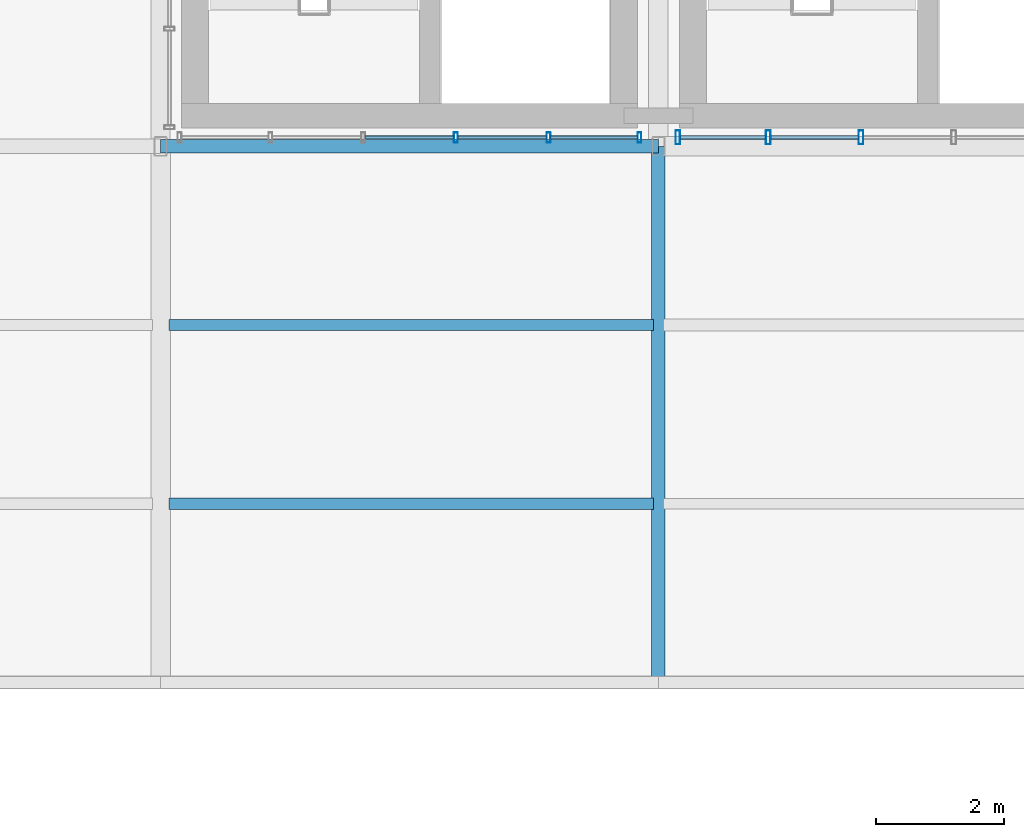
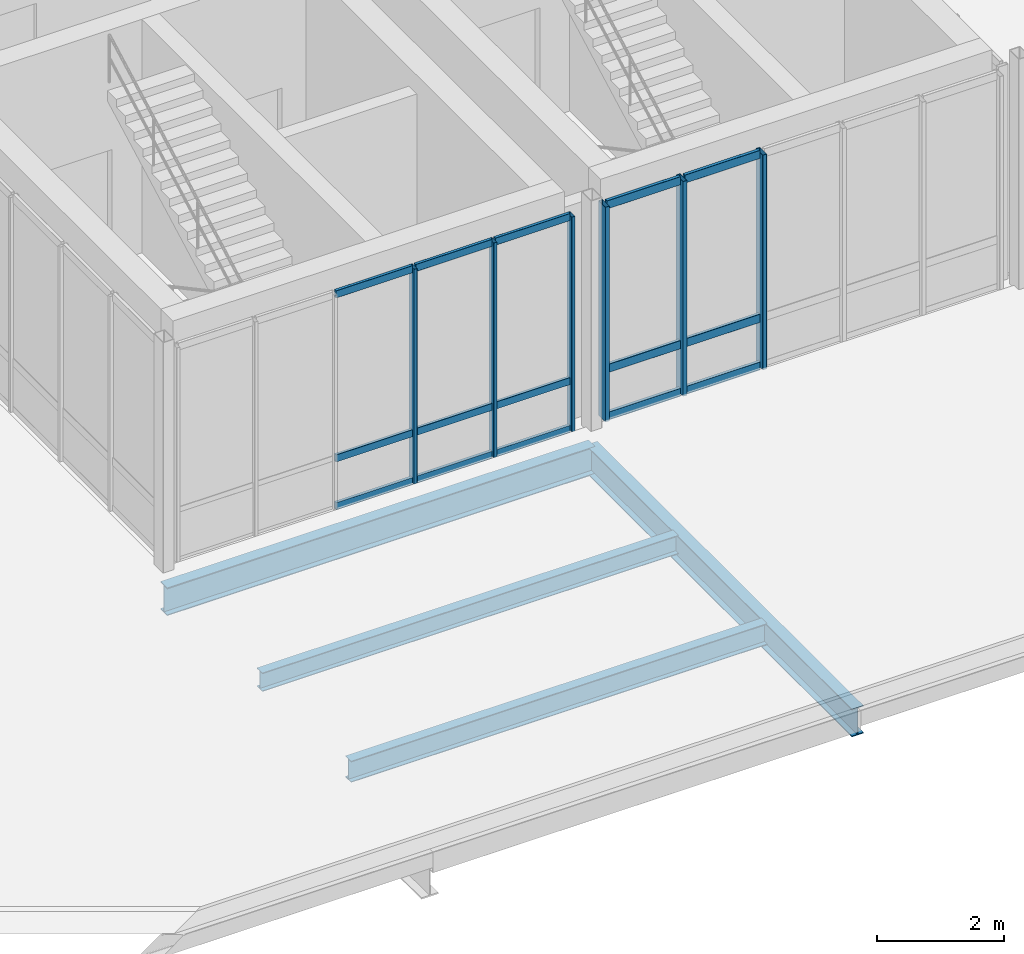
# One storey, part 37 of 66: 21 members, 4 beams, 2 elements without a shape of their own.
"""IFC4 building model written with IfcOpenShell, lengths in metres."""

import ifcopenshell
import ifcopenshell.guid

model = None  # the IFC model being written
_history = None  # IfcOwnerHistory: only IFC2X3 demands one
_inside = {}  # id of a spatial element -> (the spatial element, [elements in it])
_under = {}  # id of a project, library or spatial element -> (it, [spatial elements below it])
_declared = {}  # id of a project -> (the project, [libraries it declares])
_typed = {}  # id of a type object -> (the type object, [elements of that type])
_made_of = {}  # id of a material, layer set ... -> (it, [elements and type objects made of it])


def new_model(schema):
    """Start an empty IFC model of exactly this schema.

    Asked for "IFC4X3", IfcOpenShell would pick the latest addendum, in which some entities
    have other attributes; the version numbers below select the first issue.
    IFC2X3 requires an IfcOwnerHistory on every rooted entity: one is made here for all.
    """
    global model, _history
    if schema == "IFC4X3":
        model = ifcopenshell.file(schema_version=(4, 3, 0, 0))
    else:
        model = ifcopenshell.file(schema=schema)
    _inside.clear()
    _under.clear()
    _declared.clear()
    _typed.clear()
    _made_of.clear()
    _history = None
    if model.schema == "IFC2X3":
        org = make("IfcOrganization", Name="unknown")
        user = make(
            "IfcPersonAndOrganization",
            ThePerson=make("IfcPerson", FamilyName="unknown"),
            TheOrganization=org,
        )
        app = make(
            "IfcApplication",
            ApplicationDeveloper=org,
            Version="unknown",
            ApplicationFullName="unknown",
            ApplicationIdentifier="unknown",
        )
        _history = make(
            "IfcOwnerHistory",
            OwningUser=user,
            OwningApplication=app,
            ChangeAction="ADDED",
            CreationDate=0,
        )
    return model


def make(cls, **values):
    """One entity of the class cls with the attributes given. An attribute that is None is left unset."""
    return model.create_entity(
        cls, **{name: value for name, value in values.items() if value is not None}
    )


def rooted(cls, **values):
    """An entity with a GlobalId (a new one), such as an element, a storey or a relation."""
    return make(cls, GlobalId=ifcopenshell.guid.new(), OwnerHistory=_history, **values)


def si_unit(unit_type, name, prefix=None):
    """IfcSIUnit, for example si_unit("LENGTHUNIT", "METRE", prefix="MILLI")."""
    return make("IfcSIUnit", UnitType=unit_type, Prefix=prefix, Name=name)


def assignment(units):
    """IfcUnitAssignment: the units of a project."""
    return None if units is None else make("IfcUnitAssignment", Units=units)


def point(xyz):
    """IfcCartesianPoint."""
    return None if xyz is None else make("IfcCartesianPoint", Coordinates=xyz)


def direction(xyz):
    """IfcDirection."""
    return None if xyz is None else make("IfcDirection", DirectionRatios=xyz)


def frame(location, z_axis=None, x_axis=None):
    """IfcAxis2Placement3D, a coordinate frame: its origin and axes. An axis left out is left unset."""
    return make(
        "IfcAxis2Placement3D",
        Location=point(location),
        Axis=direction(z_axis),
        RefDirection=direction(x_axis),
    )


def frame_2d(location, x_axis=None):
    """IfcAxis2Placement2D, a coordinate frame in the plane: its origin and x axis."""
    return make(
        "IfcAxis2Placement2D", Location=point(location), RefDirection=direction(x_axis)
    )


def origin_with_axes():
    """The frame at (0, 0, 0) with the z axis (0, 0, 1) and the x axis (1, 0, 0) written out."""
    return frame((0.0, 0.0, 0.0), z_axis=(0.0, 0.0, 1.0), x_axis=(1.0, 0.0, 0.0))


def origin_2d_with_axis():
    """The frame at (0, 0) in the plane with the x axis (1, 0) written out."""
    return frame_2d((0.0, 0.0), x_axis=(1.0, 0.0))


def place(relative_to, where):
    """IfcLocalPlacement: puts the frame where relative to a parent placement (None: the world)."""
    return make(
        "IfcLocalPlacement", PlacementRelTo=relative_to, RelativePlacement=where
    )


def context(
    kind, dimensions, precision=None, world=None, true_north=None, identifier=None
):
    """IfcGeometricRepresentationContext, for example the 3D "Model" context."""
    return make(
        "IfcGeometricRepresentationContext",
        ContextIdentifier=identifier,
        ContextType=kind,
        CoordinateSpaceDimension=dimensions,
        Precision=precision,
        WorldCoordinateSystem=world,
        TrueNorth=true_north,
    )


def subcontext(parent, identifier, kind, view, scale=None):
    """IfcGeometricRepresentationSubContext, for example "Body" below "Model"."""
    return make(
        "IfcGeometricRepresentationSubContext",
        ContextIdentifier=identifier,
        ContextType=kind,
        ParentContext=parent,
        TargetScale=scale,
        TargetView=view,
    )


def project(units=None, contexts=None):
    """IfcProject with its units and contexts."""
    return rooted(
        "IfcProject",
        Name="project",
        RepresentationContexts=contexts,
        UnitsInContext=assignment(units),
    )


def spatial(cls, under=None, at=None, **own):
    """A site, building, storey or space (cls), placed at a placement, below another one or the project."""
    s = rooted(cls, ObjectPlacement=at, **own)
    if under is not None:
        _under.setdefault(under.id(), (under, []))[1].append(s)
    return s


def profile(cls, at=None, kind="AREA", **sizes):
    """A parametric profile (cls). Its sizes go by their IFC names, for example OverallWidth=200.0."""
    return make(cls, ProfileType=kind, Position=at, **sizes)


def hollow_rectangle(**sizes):
    """IfcRectangleHollowProfileDef."""
    return profile("IfcRectangleHollowProfileDef", **sizes)


def i_section(**sizes):
    """IfcIShapeProfileDef."""
    return profile("IfcIShapeProfileDef", **sizes)


def extrude(swept, where, along, depth):
    """IfcExtrudedAreaSolid: the profile swept, set in the frame where, extruded along a direction by depth."""
    return make(
        "IfcExtrudedAreaSolid",
        SweptArea=swept,
        Position=where,
        ExtrudedDirection=direction(along),
        Depth=depth,
    )


def shape(context_of_items, identifier, shape_type, items):
    """IfcShapeRepresentation: the items that make up one representation, for example the "Body"."""
    return make(
        "IfcShapeRepresentation",
        ContextOfItems=context_of_items,
        RepresentationIdentifier=identifier,
        RepresentationType=shape_type,
        Items=items,
    )


def material(Name=None, Category=None):
    """IfcMaterial."""
    return make("IfcMaterial", Name=Name, Category=Category)


def material_profile(
    of_material, cross_section, Name=None, Category=None, Priority=None
):
    """IfcMaterialProfile: a cross section and its material."""
    return make(
        "IfcMaterialProfile",
        Name=Name,
        Material=of_material,
        Profile=cross_section,
        Priority=Priority,
        Category=Category,
    )


def profile_set(profiles, Name=None, composite=None):
    """IfcMaterialProfileSet."""
    return make(
        "IfcMaterialProfileSet",
        Name=Name,
        MaterialProfiles=profiles,
        CompositeProfile=composite,
    )


def made_of(thing, what):
    """Note that an element or type object is made of a material, layer set ...; save() writes the relation."""
    if what is not None:
        _made_of.setdefault(what.id(), (what, []))[1].append(thing)
    return thing


def type_object(cls, material=None, **own):
    """A type object (cls), such as IfcWallType, which elements share."""
    return made_of(rooted(cls, **own), material)


def element(
    cls,
    number,
    at=None,
    inside=None,
    cuts=None,
    type_object=None,
    material=None,
    context=None,
    identifier="Body",
    shape_type=None,
    held_by="IfcProductDefinitionShape",
    body=None,
    shapes=None,
    **own,
):
    """One element of the class cls, such as IfcWall. Its Tag is "e" and its number.

    at: its placement. inside: the storey or other place that contains it. cuts: it is an
    opening in that element (IfcRelVoidsElement). A single representation is given by context,
    identifier, shape_type and body (its items); several are given by shapes. held_by: the class
    of the entity that holds the representations. save() writes the other relations.
    """
    e = rooted(cls, Tag="e%d" % number, ObjectPlacement=at, **own)
    if body is not None:
        shapes = [shape(context, identifier, shape_type, body)]
    if shapes is not None:
        e.Representation = make(held_by, Representations=shapes)
    if inside is not None:
        _inside.setdefault(inside.id(), (inside, []))[1].append(e)
    if cuts is not None:
        rooted(
            "IfcRelVoidsElement", RelatingBuildingElement=cuts, RelatedOpeningElement=e
        )
    if type_object is not None:
        _typed.setdefault(type_object.id(), (type_object, []))[1].append(e)
    return made_of(e, material)


def aggregate(whole, parts):
    """IfcRelAggregates: a whole, such as a stair, and the parts it consists of."""
    return rooted("IfcRelAggregates", RelatingObject=whole, RelatedObjects=parts)


def save(model, path):
    """Write the relations noted so far, then the file.

    IfcRelAggregates (storeys below a building ...), IfcRelContainedInSpatialStructure (elements
    in a storey), IfcRelDefinesByType, IfcRelAssociatesMaterial and IfcRelDeclares: one each for
    every whole, place, type object, material and project.
    """
    for whole, parts in _under.values():
        aggregate(whole, parts)
    for where, things in _inside.values():
        rooted(
            "IfcRelContainedInSpatialStructure",
            RelatedElements=things,
            RelatingStructure=where,
        )
    for kind, things in _typed.values():
        rooted("IfcRelDefinesByType", RelatedObjects=things, RelatingType=kind)
    for what, things in _made_of.values():
        rooted("IfcRelAssociatesMaterial", RelatedObjects=things, RelatingMaterial=what)
    for by, libraries in _declared.values():
        rooted("IfcRelDeclares", RelatingContext=by, RelatedDefinitions=libraries)
    model.write(path)


model = new_model("IFC4")

# Units and contexts
model_context = context("Model", 3, precision=1e-05, world=origin_with_axes(), true_north=direction((0.0, 1.0)))
body_context = subcontext(model_context, "Body", "Model", "MODEL_VIEW")
ifc_project = project(units=[si_unit("LENGTHUNIT", "METRE"), si_unit("AREAUNIT", "SQUARE_METRE"), si_unit("VOLUMEUNIT", "CUBIC_METRE"), si_unit("PLANEANGLEUNIT", "RADIAN"), si_unit("MASSUNIT", "GRAM", prefix="KILO"), si_unit("THERMODYNAMICTEMPERATUREUNIT", "KELVIN")], contexts=[model_context])

# Site, building, storey
site_placement = place(None, origin_with_axes())
site = spatial("IfcSite", under=ifc_project, at=site_placement, CompositionType="ELEMENT")
building_placement = place(site_placement, origin_with_axes())
building = spatial("IfcBuilding", under=site, at=building_placement, Name="Montbau Bow Law Courts", CompositionType="ELEMENT")
storey_placement = place(building_placement, frame((0.0, 0.0, 34.5), z_axis=(0.0, 0.0, 1.0), x_axis=(1.0, 0.0, 0.0)))
storey = spatial("IfcBuildingStorey", under=building, at=storey_placement, Name="L07", CompositionType="ELEMENT", Elevation=34.5)

# Beams
ifc_material_1 = material(Name="Steel CSA G40.21 Grade 350W (350 MPa)", Category="steel")
ifc_material_profile_1 = material_profile(ifc_material_1, i_section(OverallWidth=0.21, OverallDepth=0.537, WebThickness=0.0109, FlangeThickness=0.0174, at=origin_2d_with_axis()), Name="W530X101", Category="Main", Priority=0)
ifc_profile_set_1 = profile_set([ifc_material_profile_1], Name="Steel CSA G40.21 Grade 350W (350 MPa)")
beam_type_1 = type_object("IfcBeamType", Name="B-FLR-06", PredefinedType="BEAM", material=ifc_profile_set_1)
beam_1_placement = place(None, frame((147.0, 86.4, 33.941), z_axis=(1.0, 0.0, 0.0), x_axis=(0.0, 1.0, 0.0)))
element("IfcBeam", 1, at=beam_1_placement, inside=storey, type_object=beam_type_1, Name="BM-L07-S1343:bm2_1346", PredefinedType="BEAM", context=body_context, shape_type="SweptSolid", body=[
    extrude(i_section(OverallWidth=0.21, OverallDepth=0.537, WebThickness=0.0109, FlangeThickness=0.0174, at=origin_2d_with_axis()), origin_with_axes(), (0.0, 0.0, 1.0), 7.8),
])
beam_2_placement = place(None, frame((154.8, 78.0, 33.941), z_axis=(0.0, 1.0, 0.0), x_axis=(-1.0, 0.0, 0.0)))
element("IfcBeam", 2, at=beam_2_placement, inside=storey, type_object=beam_type_1, Name="BM-L07-S1366:bm2_1369", PredefinedType="BEAM", context=body_context, shape_type="SweptSolid", body=[
    extrude(i_section(OverallWidth=0.21, OverallDepth=0.537, WebThickness=0.0109, FlangeThickness=0.0174, at=origin_2d_with_axis()), origin_with_axes(), (0.0, 0.0, 1.0), 8.4),
])
ifc_material_profile_2 = material_profile(ifc_material_1, i_section(OverallWidth=0.179, OverallDepth=0.41, WebThickness=0.0088, FlangeThickness=0.0144, at=origin_2d_with_axis()), Name="W410X67", Category="Main", Priority=0)
ifc_profile_set_2 = profile_set([ifc_material_profile_2], Name="Steel CSA G40.21 Grade 350W (350 MPa)")
beam_type_2 = type_object("IfcBeamType", Name="B-JST-02", PredefinedType="JOIST", material=ifc_profile_set_2)
beam_3_placement = place(None, frame((147.129, 80.8, 34.005), z_axis=(1.0, 0.0, 0.0), x_axis=(0.0, 1.0, 0.0)))
element("IfcBeam", 3, at=beam_3_placement, inside=storey, type_object=beam_type_2, Name="JST-L07-S0745:jst2_0745", PredefinedType="JOIST", context=body_context, shape_type="SweptSolid", body=[
    extrude(i_section(OverallWidth=0.179, OverallDepth=0.41, WebThickness=0.0088, FlangeThickness=0.0144, at=origin_2d_with_axis()), origin_with_axes(), (0.0, 0.0, 1.0), 7.59),
])
ifc_material_profile_3 = material_profile(ifc_material_1, i_section(OverallWidth=0.172, OverallDepth=0.358, WebThickness=0.0079, FlangeThickness=0.0131, at=origin_2d_with_axis()), Name="W360X57", Category="Main", Priority=0)
ifc_profile_set_3 = profile_set([ifc_material_profile_3], Name="Steel CSA G40.21 Grade 350W (350 MPa)")
beam_type_3 = type_object("IfcBeamType", Name="B-JST-03", PredefinedType="JOIST", material=ifc_profile_set_3)
beam_4_placement = place(None, frame((147.129, 83.6, 34.031), z_axis=(1.0, 0.0, 0.0), x_axis=(0.0, 1.0, 0.0)))
element("IfcBeam", 4, at=beam_4_placement, inside=storey, type_object=beam_type_3, Name="JST-L07-S0746:jst2_0746", PredefinedType="JOIST", context=body_context, shape_type="SweptSolid", body=[
    extrude(i_section(OverallWidth=0.172, OverallDepth=0.358, WebThickness=0.0079, FlangeThickness=0.0131, at=origin_2d_with_axis()), origin_with_axes(), (0.0, 0.0, 1.0), 7.59),
])

# Curtain wall, members
ifc_material_2 = material(Name="Thermally Broken Extruded Aluminium AA 6063-T6", Category="aluminium")
curtain_wall_type = type_object("IfcCurtainWallType", Name="CW-NCK-03", PredefinedType="NOTDEFINED", material=ifc_material_2)
curtain_wall_1_placement = place(None, frame((155.068, 86.54, 34.5), z_axis=(0.0, 0.0, 1.0), x_axis=(1.0, 0.0, 0.0)))
curtain_wall_1 = element("IfcCurtainWall", 5, at=curtain_wall_1_placement, inside=storey, type_object=curtain_wall_type, Name="CW-L07-366:cw_0366", PredefinedType="NOTDEFINED")
ifc_material_profile_4 = material_profile(ifc_material_2, hollow_rectangle(XDim=0.075, YDim=0.22, WallThickness=0.005, InnerFilletRadius=0.01, OuterFilletRadius=0.005, at=origin_2d_with_axis()), Name="CWM-220X75", Category="Main", Priority=0)
ifc_profile_set_4 = profile_set([ifc_material_profile_4], Name="Thermally Broken Extruded Aluminium AA 6063-T6")
member_type_1 = type_object("IfcMemberType", Name="M-MUL-01", PredefinedType="MULLION", material=ifc_profile_set_4)
member_1_placement = place(None, frame((155.105, 86.54, 34.5), z_axis=(0.0, 0.0, 1.0), x_axis=(1.0, 0.0, 0.0)))
member_1 = element("IfcMember", 6, at=member_1_placement, type_object=member_type_1, Name="CW-L07-366-M01:cw_0366_M01", PredefinedType="MULLION", context=body_context, shape_type="SweptSolid", body=[
    extrude(hollow_rectangle(XDim=0.075, YDim=0.22, WallThickness=0.005, InnerFilletRadius=0.01, OuterFilletRadius=0.005, at=origin_2d_with_axis()), origin_with_axes(), (0.0, 0.0, 1.0), 4.14),
])
member_2_placement = place(None, frame((156.521, 86.54, 34.5), z_axis=(0.0, 0.0, 1.0), x_axis=(1.0, 0.0, 0.0)))
member_2 = element("IfcMember", 7, at=member_2_placement, type_object=member_type_1, Name="CW-L07-366-M02:cw_0366_M02", PredefinedType="MULLION", context=body_context, shape_type="SweptSolid", body=[
    extrude(hollow_rectangle(XDim=0.075, YDim=0.22, WallThickness=0.005, InnerFilletRadius=0.01, OuterFilletRadius=0.005, at=origin_2d_with_axis()), origin_with_axes(), (0.0, 0.0, 1.0), 4.14),
])
member_3_placement = place(None, frame((157.974, 86.54, 34.5), z_axis=(0.0, 0.0, 1.0), x_axis=(1.0, 0.0, 0.0)))
member_3 = element("IfcMember", 8, at=member_3_placement, type_object=member_type_1, Name="CW-L07-366-M03:cw_0366_M03", PredefinedType="MULLION", context=body_context, shape_type="SweptSolid", body=[
    extrude(hollow_rectangle(XDim=0.075, YDim=0.22, WallThickness=0.005, InnerFilletRadius=0.01, OuterFilletRadius=0.005, at=origin_2d_with_axis()), origin_with_axes(), (0.0, 0.0, 1.0), 4.14),
])

curtain_wall_2_placement = place(None, frame((147.268, 86.54, 34.5), z_axis=(0.0, 0.0, 1.0), x_axis=(1.0, 0.0, 0.0)))
curtain_wall_2 = element("IfcCurtainWall", 9, at=curtain_wall_2_placement, inside=storey, type_object=curtain_wall_type, Name="CW-L07-365:cw_0365", PredefinedType="NOTDEFINED")
ifc_material_profile_5 = material_profile(ifc_material_2, hollow_rectangle(XDim=0.06, YDim=0.16, WallThickness=0.004, InnerFilletRadius=0.008, OuterFilletRadius=0.004, at=origin_2d_with_axis()), Name="CWM-160X60", Category="Main", Priority=0)
ifc_profile_set_5 = profile_set([ifc_material_profile_5], Name="Thermally Broken Extruded Aluminium AA 6063-T6")
member_type_2 = type_object("IfcMemberType", Name="M-MUL-03", PredefinedType="MULLION", material=ifc_profile_set_5)
member_4_placement = place(None, frame((151.626, 86.54, 34.5), z_axis=(0.0, 0.0, 1.0), x_axis=(1.0, 0.0, 0.0)))
member_4 = element("IfcMember", 10, at=member_4_placement, type_object=member_type_2, Name="CW-L07-365-M04:cw_0365_M04", PredefinedType="MULLION", context=body_context, shape_type="SweptSolid", body=[
    extrude(hollow_rectangle(XDim=0.06, YDim=0.16, WallThickness=0.004, InnerFilletRadius=0.008, OuterFilletRadius=0.004, at=origin_2d_with_axis()), origin_with_axes(), (0.0, 0.0, 1.0), 4.14),
])
member_5_placement = place(None, frame((153.079, 86.54, 34.5), z_axis=(0.0, 0.0, 1.0), x_axis=(1.0, 0.0, 0.0)))
member_5 = element("IfcMember", 11, at=member_5_placement, type_object=member_type_2, Name="CW-L07-365-M05:cw_0365_M05", PredefinedType="MULLION", context=body_context, shape_type="SweptSolid", body=[
    extrude(hollow_rectangle(XDim=0.06, YDim=0.16, WallThickness=0.004, InnerFilletRadius=0.008, OuterFilletRadius=0.004, at=origin_2d_with_axis()), origin_with_axes(), (0.0, 0.0, 1.0), 4.14),
])
member_6_placement = place(None, frame((154.502, 86.54, 34.5), z_axis=(0.0, 0.0, 1.0), x_axis=(1.0, 0.0, 0.0)))
member_6 = element("IfcMember", 12, at=member_6_placement, type_object=member_type_2, Name="CW-L07-365-M06:cw_0365_M06", PredefinedType="MULLION", context=body_context, shape_type="SweptSolid", body=[
    extrude(hollow_rectangle(XDim=0.06, YDim=0.16, WallThickness=0.004, InnerFilletRadius=0.008, OuterFilletRadius=0.004, at=origin_2d_with_axis()), origin_with_axes(), (0.0, 0.0, 1.0), 4.14),
])

# Member
ifc_material_profile_6 = material_profile(ifc_material_2, hollow_rectangle(XDim=0.06, YDim=0.16, WallThickness=0.004, InnerFilletRadius=0.008, OuterFilletRadius=0.004, at=origin_2d_with_axis()), Name="CWT-160X60", Category="Main", Priority=0)
ifc_profile_set_6 = profile_set([ifc_material_profile_6], Name="Thermally Broken Extruded Aluminium AA 6063-T6")
member_type_3 = type_object("IfcMemberType", Name="M-TRN-01", PredefinedType="USERDEFINED", material=ifc_profile_set_6)
member_7_placement = place(None, frame((155.144, 86.54, 34.53), z_axis=(1.0, 0.0, 0.0), x_axis=(0.0, 1.0, 0.0)))
member_7 = element("IfcMember", 13, at=member_7_placement, type_object=member_type_3, Name="CW-L07-366-T01-1:cw_0366_T01_1", ObjectType="TRANSOM", PredefinedType="USERDEFINED", context=body_context, shape_type="SweptSolid", body=[
    extrude(hollow_rectangle(XDim=0.06, YDim=0.16, WallThickness=0.004, InnerFilletRadius=0.008, OuterFilletRadius=0.004, at=origin_2d_with_axis()), origin_with_axes(), (0.0, 0.0, 1.0), 1.337),
])

member_8_placement = place(None, frame((155.144, 86.54, 35.45), z_axis=(1.0, 0.0, 0.0), x_axis=(0.0, 1.0, 0.0)))
member_8 = element("IfcMember", 14, at=member_8_placement, type_object=member_type_3, Name="CW-L07-366-T01-2:cw_0366_T01_2", ObjectType="TRANSOM", PredefinedType="USERDEFINED", context=body_context, shape_type="SweptSolid", body=[
    extrude(hollow_rectangle(XDim=0.06, YDim=0.16, WallThickness=0.004, InnerFilletRadius=0.008, OuterFilletRadius=0.004, at=origin_2d_with_axis()), origin_with_axes(), (0.0, 0.0, 1.0), 1.337),
])

member_9_placement = place(None, frame((155.144, 86.54, 38.61), z_axis=(1.0, 0.0, 0.0), x_axis=(0.0, 1.0, 0.0)))
member_9 = element("IfcMember", 15, at=member_9_placement, type_object=member_type_3, Name="CW-L07-366-T01-3:cw_0366_T01_3", ObjectType="TRANSOM", PredefinedType="USERDEFINED", context=body_context, shape_type="SweptSolid", body=[
    extrude(hollow_rectangle(XDim=0.06, YDim=0.16, WallThickness=0.004, InnerFilletRadius=0.008, OuterFilletRadius=0.004, at=origin_2d_with_axis()), origin_with_axes(), (0.0, 0.0, 1.0), 1.337),
])

member_10_placement = place(None, frame((156.561, 86.54, 34.53), z_axis=(1.0, 0.0, 0.0), x_axis=(0.0, 1.0, 0.0)))
member_10 = element("IfcMember", 16, at=member_10_placement, type_object=member_type_3, Name="CW-L07-366-T02-1:cw_0366_T02_1", ObjectType="TRANSOM", PredefinedType="USERDEFINED", context=body_context, shape_type="SweptSolid", body=[
    extrude(hollow_rectangle(XDim=0.06, YDim=0.16, WallThickness=0.004, InnerFilletRadius=0.008, OuterFilletRadius=0.004, at=origin_2d_with_axis()), origin_with_axes(), (0.0, 0.0, 1.0), 1.374),
])

member_11_placement = place(None, frame((156.561, 86.54, 35.45), z_axis=(1.0, 0.0, 0.0), x_axis=(0.0, 1.0, 0.0)))
member_11 = element("IfcMember", 17, at=member_11_placement, type_object=member_type_3, Name="CW-L07-366-T02-2:cw_0366_T02_2", ObjectType="TRANSOM", PredefinedType="USERDEFINED", context=body_context, shape_type="SweptSolid", body=[
    extrude(hollow_rectangle(XDim=0.06, YDim=0.16, WallThickness=0.004, InnerFilletRadius=0.008, OuterFilletRadius=0.004, at=origin_2d_with_axis()), origin_with_axes(), (0.0, 0.0, 1.0), 1.374),
])

member_12_placement = place(None, frame((156.561, 86.54, 38.61), z_axis=(1.0, 0.0, 0.0), x_axis=(0.0, 1.0, 0.0)))
member_12 = element("IfcMember", 18, at=member_12_placement, type_object=member_type_3, Name="CW-L07-366-T02-3:cw_0366_T02_3", ObjectType="TRANSOM", PredefinedType="USERDEFINED", context=body_context, shape_type="SweptSolid", body=[
    extrude(hollow_rectangle(XDim=0.06, YDim=0.16, WallThickness=0.004, InnerFilletRadius=0.008, OuterFilletRadius=0.004, at=origin_2d_with_axis()), origin_with_axes(), (0.0, 0.0, 1.0), 1.374),
])

aggregate(curtain_wall_1, [member_1, member_2, member_3, member_7, member_8, member_9, member_10, member_11, member_12])

ifc_material_profile_7 = material_profile(ifc_material_2, hollow_rectangle(XDim=0.055, YDim=0.14, WallThickness=0.004, InnerFilletRadius=0.008, OuterFilletRadius=0.004, at=origin_2d_with_axis()), Name="CWT-140X55", Category="Main", Priority=0)
ifc_profile_set_7 = profile_set([ifc_material_profile_7], Name="Thermally Broken Extruded Aluminium AA 6063-T6")
member_type_4 = type_object("IfcMemberType", Name="M-TRN-02", PredefinedType="USERDEFINED", material=ifc_profile_set_7)
member_13_placement = place(None, frame((150.206, 86.54, 34.528), z_axis=(1.0, 0.0, 0.0), x_axis=(0.0, 1.0, 0.0)))
member_13 = element("IfcMember", 19, at=member_13_placement, type_object=member_type_4, Name="CW-L07-365-T03-1:cw_0365_T03_1", ObjectType="TRANSOM", PredefinedType="USERDEFINED", context=body_context, shape_type="SweptSolid", body=[
    extrude(hollow_rectangle(XDim=0.055, YDim=0.14, WallThickness=0.004, InnerFilletRadius=0.008, OuterFilletRadius=0.004, at=origin_2d_with_axis()), origin_with_axes(), (0.0, 0.0, 1.0), 1.388),
])

member_14_placement = place(None, frame((150.206, 86.54, 35.45), z_axis=(1.0, 0.0, 0.0), x_axis=(0.0, 1.0, 0.0)))
member_14 = element("IfcMember", 20, at=member_14_placement, type_object=member_type_4, Name="CW-L07-365-T03-2:cw_0365_T03_2", ObjectType="TRANSOM", PredefinedType="USERDEFINED", context=body_context, shape_type="SweptSolid", body=[
    extrude(hollow_rectangle(XDim=0.055, YDim=0.14, WallThickness=0.004, InnerFilletRadius=0.008, OuterFilletRadius=0.004, at=origin_2d_with_axis()), origin_with_axes(), (0.0, 0.0, 1.0), 1.388),
])

member_15_placement = place(None, frame((150.206, 86.54, 38.612), z_axis=(1.0, 0.0, 0.0), x_axis=(0.0, 1.0, 0.0)))
member_15 = element("IfcMember", 21, at=member_15_placement, type_object=member_type_4, Name="CW-L07-365-T03-3:cw_0365_T03_3", ObjectType="TRANSOM", PredefinedType="USERDEFINED", context=body_context, shape_type="SweptSolid", body=[
    extrude(hollow_rectangle(XDim=0.055, YDim=0.14, WallThickness=0.004, InnerFilletRadius=0.008, OuterFilletRadius=0.004, at=origin_2d_with_axis()), origin_with_axes(), (0.0, 0.0, 1.0), 1.388),
])

member_16_placement = place(None, frame((151.658, 86.54, 34.528), z_axis=(1.0, 0.0, 0.0), x_axis=(0.0, 1.0, 0.0)))
member_16 = element("IfcMember", 22, at=member_16_placement, type_object=member_type_4, Name="CW-L07-365-T04-1:cw_0365_T04_1", ObjectType="TRANSOM", PredefinedType="USERDEFINED", context=body_context, shape_type="SweptSolid", body=[
    extrude(hollow_rectangle(XDim=0.055, YDim=0.14, WallThickness=0.004, InnerFilletRadius=0.008, OuterFilletRadius=0.004, at=origin_2d_with_axis()), origin_with_axes(), (0.0, 0.0, 1.0), 1.389),
])

member_17_placement = place(None, frame((151.658, 86.54, 35.45), z_axis=(1.0, 0.0, 0.0), x_axis=(0.0, 1.0, 0.0)))
member_17 = element("IfcMember", 23, at=member_17_placement, type_object=member_type_4, Name="CW-L07-365-T04-2:cw_0365_T04_2", ObjectType="TRANSOM", PredefinedType="USERDEFINED", context=body_context, shape_type="SweptSolid", body=[
    extrude(hollow_rectangle(XDim=0.055, YDim=0.14, WallThickness=0.004, InnerFilletRadius=0.008, OuterFilletRadius=0.004, at=origin_2d_with_axis()), origin_with_axes(), (0.0, 0.0, 1.0), 1.389),
])

member_18_placement = place(None, frame((151.658, 86.54, 38.612), z_axis=(1.0, 0.0, 0.0), x_axis=(0.0, 1.0, 0.0)))
member_18 = element("IfcMember", 24, at=member_18_placement, type_object=member_type_4, Name="CW-L07-365-T04-3:cw_0365_T04_3", ObjectType="TRANSOM", PredefinedType="USERDEFINED", context=body_context, shape_type="SweptSolid", body=[
    extrude(hollow_rectangle(XDim=0.055, YDim=0.14, WallThickness=0.004, InnerFilletRadius=0.008, OuterFilletRadius=0.004, at=origin_2d_with_axis()), origin_with_axes(), (0.0, 0.0, 1.0), 1.389),
])

member_19_placement = place(None, frame((153.111, 86.54, 34.528), z_axis=(1.0, 0.0, 0.0), x_axis=(0.0, 1.0, 0.0)))
member_19 = element("IfcMember", 25, at=member_19_placement, type_object=member_type_4, Name="CW-L07-365-T05-1:cw_0365_T05_1", ObjectType="TRANSOM", PredefinedType="USERDEFINED", context=body_context, shape_type="SweptSolid", body=[
    extrude(hollow_rectangle(XDim=0.055, YDim=0.14, WallThickness=0.004, InnerFilletRadius=0.008, OuterFilletRadius=0.004, at=origin_2d_with_axis()), origin_with_axes(), (0.0, 0.0, 1.0), 1.359),
])

member_20_placement = place(None, frame((153.111, 86.54, 35.45), z_axis=(1.0, 0.0, 0.0), x_axis=(0.0, 1.0, 0.0)))
member_20 = element("IfcMember", 26, at=member_20_placement, type_object=member_type_4, Name="CW-L07-365-T05-2:cw_0365_T05_2", ObjectType="TRANSOM", PredefinedType="USERDEFINED", context=body_context, shape_type="SweptSolid", body=[
    extrude(hollow_rectangle(XDim=0.055, YDim=0.14, WallThickness=0.004, InnerFilletRadius=0.008, OuterFilletRadius=0.004, at=origin_2d_with_axis()), origin_with_axes(), (0.0, 0.0, 1.0), 1.359),
])

member_21_placement = place(None, frame((153.111, 86.54, 38.612), z_axis=(1.0, 0.0, 0.0), x_axis=(0.0, 1.0, 0.0)))
member_21 = element("IfcMember", 27, at=member_21_placement, type_object=member_type_4, Name="CW-L07-365-T05-3:cw_0365_T05_3", ObjectType="TRANSOM", PredefinedType="USERDEFINED", context=body_context, shape_type="SweptSolid", body=[
    extrude(hollow_rectangle(XDim=0.055, YDim=0.14, WallThickness=0.004, InnerFilletRadius=0.008, OuterFilletRadius=0.004, at=origin_2d_with_axis()), origin_with_axes(), (0.0, 0.0, 1.0), 1.359),
])

aggregate(curtain_wall_2, [member_4, member_5, member_6, member_13, member_14, member_15, member_16, member_17, member_18, member_19, member_20, member_21])

save(model, "model.ifc")
